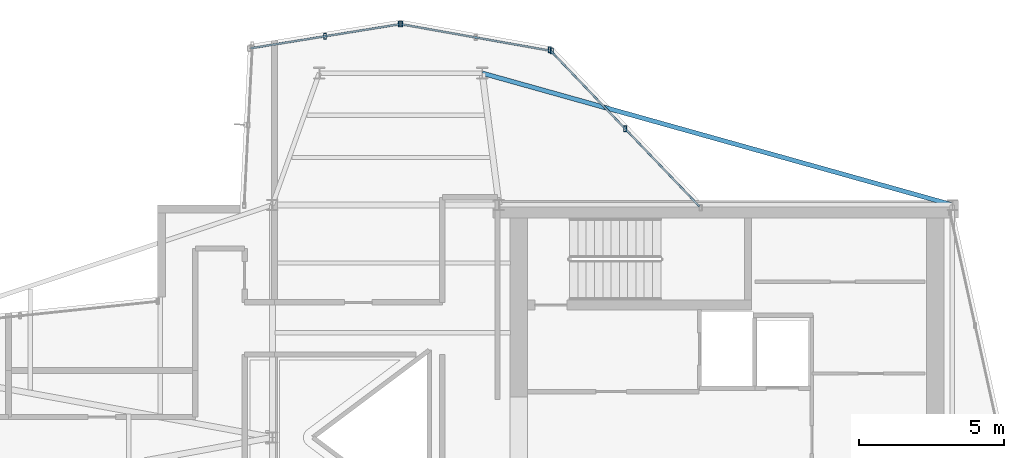
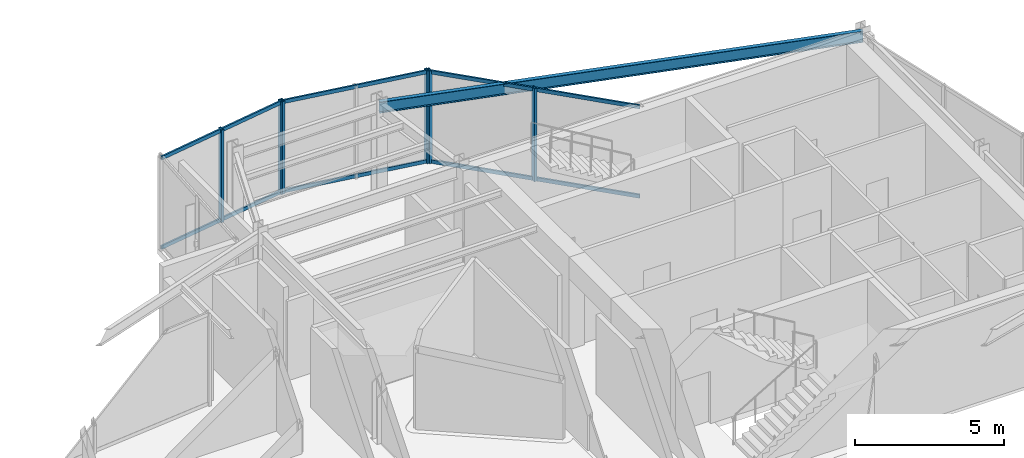
# One storey, part 6 of 14: 12 members, 1 beam, 3 elements without a shape of their own.
"""IFC4 building model written with IfcOpenShell, lengths in metres."""

from ifc_helpers import new_model, si_unit, direction, frame, origin, origin_2d, place, context, subcontext, project, spatial, hollow_rectangle, i_section, extrude, material, layer, layer_set, material_profile, profile_set, type_object, element, aggregate, save


model = new_model("IFC4")

# Units and contexts
model_context = context("Model", 3, precision=1e-05, world=origin(), true_north=direction((0.0, 1.0)))
body_context = subcontext(model_context, "Body", "Model", "MODEL_VIEW")
ifc_project = project(units=[si_unit("LENGTHUNIT", "METRE"), si_unit("AREAUNIT", "SQUARE_METRE"), si_unit("VOLUMEUNIT", "CUBIC_METRE"), si_unit("PLANEANGLEUNIT", "RADIAN"), si_unit("MASSUNIT", "GRAM", prefix="KILO")], contexts=[model_context])

# Site, building, storey
site_placement = place(None, origin())
site = spatial("IfcSite", under=ifc_project, at=site_placement, CompositionType="ELEMENT")
building_placement = place(site_placement, origin())
building = spatial("IfcBuilding", under=site, at=building_placement, Name="Veymaron Broadcast Tower", CompositionType="ELEMENT")
storey_placement = place(building_placement, frame((0.0, 0.0, 295.199951171875)))
storey = spatial("IfcBuildingStorey", under=building, at=storey_placement, Name="L69", CompositionType="ELEMENT", Elevation=295.199951171875)

# Beam
ifc_material_1 = material(Name="Structural steel ASTM A992 Gr 50", Category="steel")
ifc_material_profile_1 = material_profile(ifc_material_1, i_section(OverallWidth=0.154052734375, OverallDepth=0.458984375, WebThickness=0.009033203125, FlangeThickness=0.015380859375, at=origin_2d()), Name="W460X68")
ifc_profile_set_1 = profile_set([ifc_material_profile_1], Name="Structural steel ASTM A992 Gr 50")
beam_type = type_object("IfcBeamType", Name="BM-SP2", PredefinedType="SPANDREL", material=ifc_profile_set_1)
beam_placement = place(storey_placement, frame((54.60009765625, 32.0, 3.58056640625), z_axis=(-0.962930809843, 0.269748504084, 0.0), x_axis=(-0.269748504084, -0.962930809843, 0.0)))
element("IfcBeam", 1, at=beam_placement, inside=storey, type_object=beam_type, Name="L69 primary structural floor girder", PredefinedType="SPANDREL", context=body_context, shape_type="SweptSolid", body=[
    extrude(i_section(OverallWidth=0.154052734375, OverallDepth=0.458984375, WebThickness=0.009033203125, FlangeThickness=0.015380859375, at=origin_2d()), origin(), (0.0, 0.0, 1.0), 16.80078125),
])

# Curtain wall, members
ifc_material_2 = material(Name="Anodised aluminium AA 6063-T6 and laminated low-E dark glass", Category="aluminium")
ifc_layer = layer(ifc_material_2, 0.179931640625)
ifc_layer_set = layer_set([ifc_layer], Name="Anodised aluminium AA 6063-T6 and laminated low-E dark glass")
curtain_wall_type = type_object("IfcCurtainWallType", Name="CW-SYS-06", PredefinedType="NOTDEFINED", material=ifc_layer_set)
curtain_wall_1_placement = place(storey_placement, origin())
curtain_wall_1 = element("IfcCurtainWall", 2, at=curtain_wall_1_placement, inside=storey, type_object=curtain_wall_type, Name="L69 dark-glass curtain wall CW-L69-E5-1", PredefinedType="NOTDEFINED")
ifc_material_3 = material(Name="Anodised aluminium AA 6063-T6", Category="aluminium")
ifc_material_profile_2 = material_profile(ifc_material_3, hollow_rectangle(XDim=0.10009765625, YDim=0.199951171875, WallThickness=0.010009765625, at=origin_2d()), Name="RHS200X100X10")
ifc_profile_set_2 = profile_set([ifc_material_profile_2], Name="Anodised aluminium AA 6063-T6")
member_type_1 = type_object("IfcMemberType", Name="CW-MUL-01", PredefinedType="MULLION", material=ifc_profile_set_2)
member_1_placement = place(storey_placement, frame((43.33837890625, 34.61962890625, 0.0), z_axis=(0.0, 0.0, 1.0), x_axis=(1.0, 0.0, 0.0)))
member_1 = element("IfcMember", 3, at=member_1_placement, type_object=member_type_1, Name="CW-L69-E5-1 mullion 1", PredefinedType="MULLION", context=body_context, shape_type="SweptSolid", body=[
    extrude(hollow_rectangle(XDim=0.10009765625, YDim=0.199951171875, WallThickness=0.010009765625, at=origin_2d()), origin(), (0.0, 0.0, 1.0), 3.81005859375),
])
member_2_placement = place(storey_placement, frame((40.74267578125, 37.336181640625, 0.0), z_axis=(0.0, 0.0, 1.0), x_axis=(1.0, 0.0, 0.0)))
member_2 = element("IfcMember", 4, at=member_2_placement, type_object=member_type_1, Name="CW-L69-E5-1 mullion 2", PredefinedType="MULLION", context=body_context, shape_type="SweptSolid", body=[
    extrude(hollow_rectangle(XDim=0.10009765625, YDim=0.199951171875, WallThickness=0.010009765625, at=origin_2d()), origin(), (0.0, 0.0, 1.0), 3.81005859375),
])

curtain_wall_2_placement = place(storey_placement, origin())
curtain_wall_2 = element("IfcCurtainWall", 5, at=curtain_wall_2_placement, inside=storey, type_object=curtain_wall_type, Name="L69 dark-glass curtain wall CW-L69-E6-1", PredefinedType="NOTDEFINED")
member_3_placement = place(storey_placement, frame((40.819580078125, 37.294921875, 0.0), z_axis=(0.0, 0.0, 1.0), x_axis=(1.0, 0.0, 0.0)))
member_3 = element("IfcMember", 6, at=member_3_placement, type_object=member_type_1, Name="CW-L69-E6-1 mullion 0", PredefinedType="MULLION", context=body_context, shape_type="SweptSolid", body=[
    extrude(hollow_rectangle(XDim=0.10009765625, YDim=0.199951171875, WallThickness=0.010009765625, at=origin_2d()), origin(), (0.0, 0.0, 1.0), 3.81005859375),
])
member_4_placement = place(storey_placement, frame((35.584716796875, 38.223388671875, 0.0), z_axis=(0.0, 0.0, 1.0), x_axis=(1.0, 0.0, 0.0)))
member_4 = element("IfcMember", 7, at=member_4_placement, type_object=member_type_1, Name="CW-L69-E6-1 mullion 2", PredefinedType="MULLION", context=body_context, shape_type="SweptSolid", body=[
    extrude(hollow_rectangle(XDim=0.10009765625, YDim=0.199951171875, WallThickness=0.010009765625, at=origin_2d()), origin(), (0.0, 0.0, 1.0), 3.81005859375),
])

curtain_wall_3_placement = place(storey_placement, origin())
curtain_wall_3 = element("IfcCurtainWall", 8, at=curtain_wall_3_placement, inside=storey, type_object=curtain_wall_type, Name="L69 dark-glass curtain wall CW-L69-E7-1", PredefinedType="NOTDEFINED")
member_5_placement = place(storey_placement, frame((35.631591796875, 38.222900390625, 0.0), z_axis=(0.0, 0.0, 1.0), x_axis=(1.0, 0.0, 0.0)))
member_5 = element("IfcMember", 9, at=member_5_placement, type_object=member_type_1, Name="CW-L69-E7-1 mullion 0", PredefinedType="MULLION", context=body_context, shape_type="SweptSolid", body=[
    extrude(hollow_rectangle(XDim=0.10009765625, YDim=0.199951171875, WallThickness=0.010009765625, at=origin_2d()), origin(), (0.0, 0.0, 1.0), 3.81005859375),
])
member_6_placement = place(storey_placement, frame((33.01416015625, 37.801025390625, 0.0), z_axis=(0.0, 0.0, 1.0), x_axis=(1.0, 0.0, 0.0)))
member_6 = element("IfcMember", 10, at=member_6_placement, type_object=member_type_1, Name="CW-L69-E7-1 mullion 1", PredefinedType="MULLION", context=body_context, shape_type="SweptSolid", body=[
    extrude(hollow_rectangle(XDim=0.10009765625, YDim=0.199951171875, WallThickness=0.010009765625, at=origin_2d()), origin(), (0.0, 0.0, 1.0), 3.81005859375),
])

# Member
ifc_material_profile_3 = material_profile(ifc_material_3, hollow_rectangle(XDim=0.06494140625, YDim=0.14990234375, WallThickness=0.00390625, at=origin_2d()), Name="AL150X65X4")
ifc_profile_set_3 = profile_set([ifc_material_profile_3], Name="Anodised aluminium AA 6063-T6")
member_type_2 = type_object("IfcMemberType", Name="CW-TRN-01", PredefinedType="USERDEFINED", material=ifc_profile_set_3)
member_7_placement = place(storey_placement, frame((45.89990234375, 31.939453125, 0.070068359375), z_axis=(-0.690889898106, 0.722959991075, 0.0), x_axis=(-0.722959991075, -0.690889898106, 0.0)))
member_7 = element("IfcMember", 11, at=member_7_placement, type_object=member_type_2, Name="CW-L69-E5-1 transom B", ObjectType="TRANSOM", PredefinedType="USERDEFINED", context=body_context, shape_type="SweptSolid", body=[
    extrude(hollow_rectangle(XDim=0.06494140625, YDim=0.14990234375, WallThickness=0.00390625, at=origin_2d()), origin(), (0.0, 0.0, 1.0), 7.414794921875),
])

member_8_placement = place(storey_placement, frame((45.89990234375, 31.939453125, 3.739990234375), z_axis=(-0.690889898106, 0.722959991075, 0.0), x_axis=(-0.722959991075, -0.690889898106, 0.0)))
member_8 = element("IfcMember", 12, at=member_8_placement, type_object=member_type_2, Name="CW-L69-E5-1 transom T", ObjectType="TRANSOM", PredefinedType="USERDEFINED", context=body_context, shape_type="SweptSolid", body=[
    extrude(hollow_rectangle(XDim=0.06494140625, YDim=0.14990234375, WallThickness=0.00390625, at=origin_2d()), origin(), (0.0, 0.0, 1.0), 7.414794921875),
])

aggregate(curtain_wall_1, [member_1, member_2, member_7, member_8])

member_9_placement = place(storey_placement, frame((40.770263671875, 37.3037109375, 0.070068359375), z_axis=(-0.984635728528, 0.174620966971, 0.0), x_axis=(-0.174620966971, -0.984635728528, 0.0)))
member_9 = element("IfcMember", 13, at=member_9_placement, type_object=member_type_2, Name="CW-L69-E6-1 transom B", ObjectType="TRANSOM", PredefinedType="USERDEFINED", context=body_context, shape_type="SweptSolid", body=[
    extrude(hollow_rectangle(XDim=0.06494140625, YDim=0.14990234375, WallThickness=0.00390625, at=origin_2d()), origin(), (0.0, 0.0, 1.0), 5.21630859375),
])

member_10_placement = place(storey_placement, frame((40.770263671875, 37.3037109375, 3.739990234375), z_axis=(-0.984635728528, 0.174620966971, 0.0), x_axis=(-0.174620966971, -0.984635728528, 0.0)))
member_10 = element("IfcMember", 14, at=member_10_placement, type_object=member_type_2, Name="CW-L69-E6-1 transom T", ObjectType="TRANSOM", PredefinedType="USERDEFINED", context=body_context, shape_type="SweptSolid", body=[
    extrude(hollow_rectangle(XDim=0.06494140625, YDim=0.14990234375, WallThickness=0.00390625, at=origin_2d()), origin(), (0.0, 0.0, 1.0), 5.21630859375),
])

aggregate(curtain_wall_2, [member_3, member_4, member_9, member_10])

member_11_placement = place(storey_placement, frame((35.58203125, 38.215087890625, 0.070068359375), z_axis=(-0.987247783528, -0.15919112387, 0.0), x_axis=(0.15919112387, -0.987247783528, 0.0)))
member_11 = element("IfcMember", 15, at=member_11_placement, type_object=member_type_2, Name="CW-L69-E7-1 transom B", ObjectType="TRANSOM", PredefinedType="USERDEFINED", context=body_context, shape_type="SweptSolid", body=[
    extrude(hollow_rectangle(XDim=0.06494140625, YDim=0.14990234375, WallThickness=0.00390625, at=origin_2d()), origin(), (0.0, 0.0, 1.0), 5.2021484375),
])

member_12_placement = place(storey_placement, frame((35.58203125, 38.215087890625, 3.739990234375), z_axis=(-0.987247783528, -0.15919112387, 0.0), x_axis=(0.15919112387, -0.987247783528, 0.0)))
member_12 = element("IfcMember", 16, at=member_12_placement, type_object=member_type_2, Name="CW-L69-E7-1 transom T", ObjectType="TRANSOM", PredefinedType="USERDEFINED", context=body_context, shape_type="SweptSolid", body=[
    extrude(hollow_rectangle(XDim=0.06494140625, YDim=0.14990234375, WallThickness=0.00390625, at=origin_2d()), origin(), (0.0, 0.0, 1.0), 5.2021484375),
])

aggregate(curtain_wall_3, [member_5, member_6, member_11, member_12])

save(model, "model.ifc")
